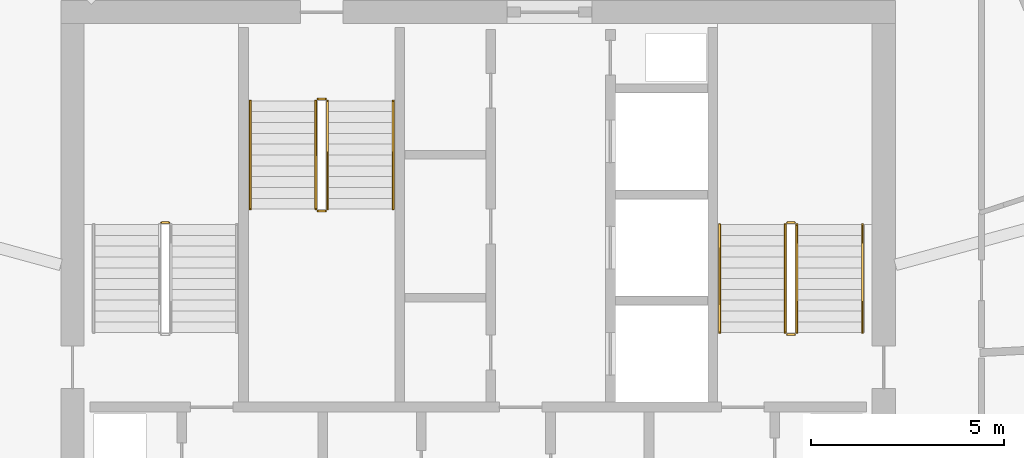
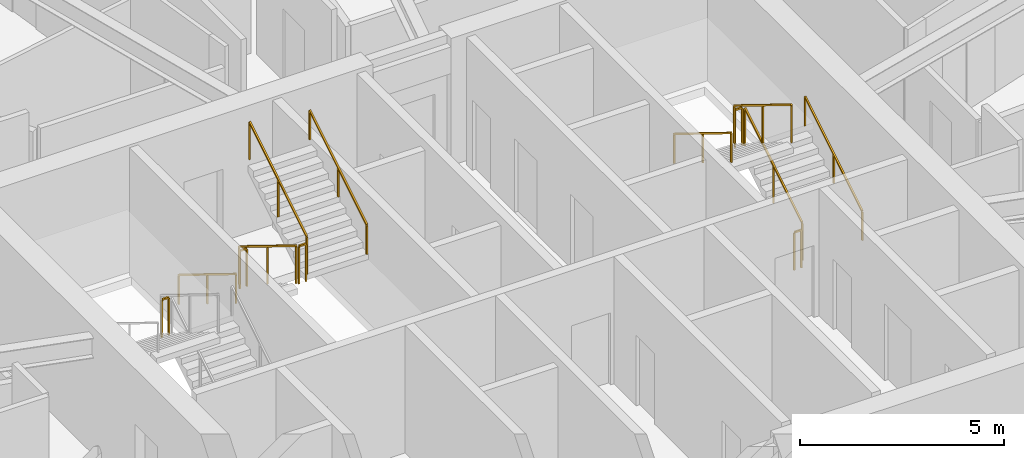
# One storey, part 26 of 27: 13 railings.
"""IFC4 building model written with IfcOpenShell, lengths in metres."""

from ifc_helpers import new_model, si_unit, direction, frame, origin, origin_2d, place, context, subcontext, project, spatial, rectangle, extrude, material, type_object, element, save


model = new_model("IFC4")

# Units and contexts
model_context = context("Model", 3, precision=1e-05, world=origin(), true_north=direction((0.0, 1.0)))
body_context = subcontext(model_context, "Body", "Model", "MODEL_VIEW")
ifc_project = project(units=[si_unit("LENGTHUNIT", "METRE"), si_unit("AREAUNIT", "SQUARE_METRE"), si_unit("VOLUMEUNIT", "CUBIC_METRE"), si_unit("PLANEANGLEUNIT", "RADIAN"), si_unit("MASSUNIT", "GRAM", prefix="KILO")], contexts=[model_context])

# Site, building, storey
site_placement = place(None, origin())
site = spatial("IfcSite", under=ifc_project, at=site_placement, CompositionType="ELEMENT")
building_placement = place(site_placement, origin())
building = spatial("IfcBuilding", under=site, at=building_placement, Name="Zuhravey Tower", CompositionType="ELEMENT")
storey_placement = place(building_placement, frame((0.0, 0.0, 261.60009765625)))
storey = spatial("IfcBuildingStorey", under=building, at=storey_placement, Name="L66", CompositionType="ELEMENT", Elevation=261.60009765625)

# Railings
ifc_material_1 = material(Name="Brushed stainless steel", Category="steel")
railing_type_1 = type_object("IfcRailingType", Name="Stair Wall Handrail 900", PredefinedType="HANDRAIL", material=ifc_material_1)
railing_1_placement = place(storey_placement, frame((45.949951171875, 33.199951171875, 0.172607421875)))
element("IfcRailing", 1, at=railing_1_placement, inside=storey, type_object=railing_type_1, Name="L66 ST2 stair handrail 1", PredefinedType="HANDRAIL", context=body_context, shape_type="SweptSolid", body=[
    extrude(rectangle(XDim=0.048095703125, YDim=0.048095703125, at=origin_2d()), frame((0.0, 0.001708984375, 0.876953125), z_axis=(0.0, 0.851089632645, 0.525020415988), x_axis=(-1.0, 0.0, 0.0)), (0.0, 0.0, 1.0), 3.285888671875),
    extrude(rectangle(XDim=0.0419921875, YDim=0.0419921875, at=origin_2d()), origin(), (0.0, 0.0, 1.0), 0.849853515625),
    extrude(rectangle(XDim=0.0419921875, YDim=0.0419921875, at=origin_2d()), frame((0.0, 1.39990234375, 0.86376953125)), (0.0, 0.0, 1.0), 0.849853515625),
    extrude(rectangle(XDim=0.0419921875, YDim=0.0419921875, at=origin_2d()), frame((0.0, 2.800048828125, 1.727294921875)), (0.0, 0.0, 1.0), 0.849853515625),
])
for number, where, name in (
    (2, (42.25, 36.0, 2.072509765625), "L66 ST2 stair handrail 2"),
    (3, (30.10009765625, 39.199951171875, 0.172607421875), "L66 ST3 stair handrail 1"),
):
    element("IfcRailing", number, at=place(storey_placement, frame(where)), inside=storey, type_object=railing_type_1, Name=name, PredefinedType="HANDRAIL", context=body_context, shape_type="SweptSolid", body=[
        extrude(rectangle(XDim=0.048095703125, YDim=0.048095703125, at=origin_2d()), frame((0.0, -0.001708984375, 0.876953125), z_axis=(0.0, -0.851089632645, 0.525020415988), x_axis=(1.0, 0.0, 0.0)), (0.0, 0.0, 1.0), 3.285888671875),
        extrude(rectangle(XDim=0.0419921875, YDim=0.0419921875, at=origin_2d()), origin(), (0.0, 0.0, 1.0), 0.849853515625),
        extrude(rectangle(XDim=0.0419921875, YDim=0.0419921875, at=origin_2d()), frame((0.0, -1.39990234375, 0.86376953125)), (0.0, 0.0, 1.0), 0.849853515625),
        extrude(rectangle(XDim=0.0419921875, YDim=0.0419921875, at=origin_2d()), frame((0.0, -2.800048828125, 1.727294921875)), (0.0, 0.0, 1.0), 0.849853515625),
    ])
railing_2_placement = place(storey_placement, frame((33.800048828125, 36.39990234375, 2.072509765625)))
element("IfcRailing", 4, at=railing_2_placement, inside=storey, type_object=railing_type_1, Name="L66 ST3 stair handrail 2", PredefinedType="HANDRAIL", context=body_context, shape_type="SweptSolid", body=[
    extrude(rectangle(XDim=0.048095703125, YDim=0.048095703125, at=origin_2d()), frame((0.0, 0.001708984375, 0.876953125), z_axis=(0.0, 0.851089632645, 0.525020415988), x_axis=(-1.0, 0.0, 0.0)), (0.0, 0.0, 1.0), 3.285888671875),
    extrude(rectangle(XDim=0.0419921875, YDim=0.0419921875, at=origin_2d()), origin(), (0.0, 0.0, 1.0), 0.849853515625),
    extrude(rectangle(XDim=0.0419921875, YDim=0.0419921875, at=origin_2d()), frame((0.0, 1.39990234375, 0.86376953125)), (0.0, 0.0, 1.0), 0.849853515625),
    extrude(rectangle(XDim=0.0419921875, YDim=0.0419921875, at=origin_2d()), frame((0.0, 2.800048828125, 1.727294921875)), (0.0, 0.0, 1.0), 0.849853515625),
])
ifc_material_2 = material(Name="Painted tubular steel", Category="steel")
railing_type_2 = type_object("IfcRailingType", Name="Stair Well Guardrail 1150", PredefinedType="GUARDRAIL", material=ifc_material_2)
railing_3_placement = place(storey_placement, frame((28.0, 36.050048828125, 1.89990234375)))
element("IfcRailing", 5, at=railing_3_placement, inside=storey, type_object=railing_type_2, Name="L66 ST1 stair guard 2", PredefinedType="GUARDRAIL", context=body_context, shape_type="SweptSolid", body=[
    extrude(rectangle(XDim=0.048095703125, YDim=0.048095703125, at=origin_2d()), frame((-0.001953125, 0.0, 1.1259765625), z_axis=(-1.0, 0.0, 0.0), x_axis=(0.0, -1.0, 0.0)), (0.0, 0.0, 1.0), 0.196044921875),
    extrude(rectangle(XDim=0.0419921875, YDim=0.0419921875, at=origin_2d()), origin(), (0.0, 0.0, 1.0), 1.099853515625),
    extrude(rectangle(XDim=0.0419921875, YDim=0.0419921875, at=origin_2d()), frame((-0.199951171875, 0.0, 0.0)), (0.0, 0.0, 1.0), 1.099853515625),
])
railing_4_placement = place(storey_placement, frame((44.25, 33.199951171875, 0.172607421875)))
element("IfcRailing", 6, at=railing_4_placement, inside=storey, type_object=railing_type_2, Name="L66 ST2 stair guard 1", PredefinedType="GUARDRAIL", context=body_context, shape_type="SweptSolid", body=[
    extrude(rectangle(XDim=0.048095703125, YDim=0.048095703125, at=origin_2d()), frame((0.0, 0.001708984375, 1.126953125), z_axis=(0.0, 0.851089632645, 0.525020415988), x_axis=(-1.0, 0.0, 0.0)), (0.0, 0.0, 1.0), 3.285888671875),
    extrude(rectangle(XDim=0.0419921875, YDim=0.0419921875, at=origin_2d()), origin(), (0.0, 0.0, 1.0), 1.099853515625),
    extrude(rectangle(XDim=0.0419921875, YDim=0.0419921875, at=origin_2d()), frame((0.0, 1.39990234375, 0.86376953125)), (0.0, 0.0, 1.0), 1.099853515625),
    extrude(rectangle(XDim=0.0419921875, YDim=0.0419921875, at=origin_2d()), frame((0.0, 2.800048828125, 1.727294921875)), (0.0, 0.0, 1.0), 1.099853515625),
])
railing_5_placement = place(storey_placement, frame((44.199951171875, 36.050048828125, 1.89990234375)))
element("IfcRailing", 7, at=railing_5_placement, inside=storey, type_object=railing_type_2, Name="L66 ST2 stair guard 2", PredefinedType="GUARDRAIL", context=body_context, shape_type="SweptSolid", body=[
    extrude(rectangle(XDim=0.048095703125, YDim=0.048095703125, at=origin_2d()), frame((-0.001953125, 0.0, 1.1259765625), z_axis=(-1.0, 0.0, 0.0), x_axis=(0.0, -1.0, 0.0)), (0.0, 0.0, 1.0), 0.196044921875),
    extrude(rectangle(XDim=0.0419921875, YDim=0.0419921875, at=origin_2d()), origin(), (0.0, 0.0, 1.0), 1.099853515625),
    extrude(rectangle(XDim=0.0419921875, YDim=0.0419921875, at=origin_2d()), frame((-0.199951171875, 0.0, 0.0)), (0.0, 0.0, 1.0), 1.099853515625),
])
railing_6_placement = place(storey_placement, frame((43.949951171875, 36.0, 2.072509765625)))
element("IfcRailing", 8, at=railing_6_placement, inside=storey, type_object=railing_type_2, Name="L66 ST2 stair guard 3", PredefinedType="GUARDRAIL", context=body_context, shape_type="SweptSolid", body=[
    extrude(rectangle(XDim=0.048095703125, YDim=0.048095703125, at=origin_2d()), frame((0.0, -0.001708984375, 1.126953125), z_axis=(0.0, -0.851089632645, 0.525020415988), x_axis=(1.0, 0.0, 0.0)), (0.0, 0.0, 1.0), 3.285888671875),
    extrude(rectangle(XDim=0.0419921875, YDim=0.0419921875, at=origin_2d()), origin(), (0.0, 0.0, 1.0), 1.099853515625),
    extrude(rectangle(XDim=0.0419921875, YDim=0.0419921875, at=origin_2d()), frame((0.0, -1.39990234375, 0.86376953125)), (0.0, 0.0, 1.0), 1.099853515625),
    extrude(rectangle(XDim=0.0419921875, YDim=0.0419921875, at=origin_2d()), frame((0.0, -2.800048828125, 1.727294921875)), (0.0, 0.0, 1.0), 1.099853515625),
])
railing_7_placement = place(storey_placement, frame((44.199951171875, 33.14990234375, 0.0)))
element("IfcRailing", 9, at=railing_7_placement, inside=storey, type_object=railing_type_2, Name="L66 ST2 stair guard 4", PredefinedType="GUARDRAIL", context=body_context, shape_type="SweptSolid", body=[
    extrude(rectangle(XDim=0.048095703125, YDim=0.048095703125, at=origin_2d()), frame((-0.001953125, 0.0, 1.1259765625), z_axis=(-1.0, 0.0, 0.0), x_axis=(0.0, -1.0, 0.0)), (0.0, 0.0, 1.0), 0.196044921875),
    extrude(rectangle(XDim=0.0419921875, YDim=0.0419921875, at=origin_2d()), origin(), (0.0, 0.0, 1.0), 1.099853515625),
    extrude(rectangle(XDim=0.0419921875, YDim=0.0419921875, at=origin_2d()), frame((-0.199951171875, 0.0, 0.0)), (0.0, 0.0, 1.0), 1.099853515625),
])
railing_8_placement = place(storey_placement, frame((31.800048828125, 39.199951171875, 0.172607421875)))
element("IfcRailing", 10, at=railing_8_placement, inside=storey, type_object=railing_type_2, Name="L66 ST3 stair guard 1", PredefinedType="GUARDRAIL", context=body_context, shape_type="SweptSolid", body=[
    extrude(rectangle(XDim=0.048095703125, YDim=0.048095703125, at=origin_2d()), frame((0.0, -0.001708984375, 1.126953125), z_axis=(0.0, -0.851089632645, 0.525020415988), x_axis=(1.0, 0.0, 0.0)), (0.0, 0.0, 1.0), 3.285888671875),
    extrude(rectangle(XDim=0.0419921875, YDim=0.0419921875, at=origin_2d()), origin(), (0.0, 0.0, 1.0), 1.099853515625),
    extrude(rectangle(XDim=0.0419921875, YDim=0.0419921875, at=origin_2d()), frame((0.0, -1.39990234375, 0.86376953125)), (0.0, 0.0, 1.0), 1.099853515625),
    extrude(rectangle(XDim=0.0419921875, YDim=0.0419921875, at=origin_2d()), frame((0.0, -2.800048828125, 1.727294921875)), (0.0, 0.0, 1.0), 1.099853515625),
])
railing_9_placement = place(storey_placement, frame((31.85009765625, 36.35009765625, 1.89990234375)))
element("IfcRailing", 11, at=railing_9_placement, inside=storey, type_object=railing_type_2, Name="L66 ST3 stair guard 2", PredefinedType="GUARDRAIL", context=body_context, shape_type="SweptSolid", body=[
    extrude(rectangle(XDim=0.048095703125, YDim=0.048095703125, at=origin_2d()), frame((0.001953125, 0.0, 1.1259765625), z_axis=(1.0, 0.0, 0.0), x_axis=(0.0, 1.0, 0.0)), (0.0, 0.0, 1.0), 0.196044921875),
    extrude(rectangle(XDim=0.0419921875, YDim=0.0419921875, at=origin_2d()), origin(), (0.0, 0.0, 1.0), 1.099853515625),
    extrude(rectangle(XDim=0.0419921875, YDim=0.0419921875, at=origin_2d()), frame((0.199951171875, 0.0, 0.0)), (0.0, 0.0, 1.0), 1.099853515625),
])
railing_10_placement = place(storey_placement, frame((32.10009765625, 36.39990234375, 2.072509765625)))
element("IfcRailing", 12, at=railing_10_placement, inside=storey, type_object=railing_type_2, Name="L66 ST3 stair guard 3", PredefinedType="GUARDRAIL", context=body_context, shape_type="SweptSolid", body=[
    extrude(rectangle(XDim=0.048095703125, YDim=0.048095703125, at=origin_2d()), frame((0.0, 0.001708984375, 1.126953125), z_axis=(0.0, 0.851089632645, 0.525020415988), x_axis=(-1.0, 0.0, 0.0)), (0.0, 0.0, 1.0), 3.285888671875),
    extrude(rectangle(XDim=0.0419921875, YDim=0.0419921875, at=origin_2d()), origin(), (0.0, 0.0, 1.0), 1.099853515625),
    extrude(rectangle(XDim=0.0419921875, YDim=0.0419921875, at=origin_2d()), frame((0.0, 1.39990234375, 0.86376953125)), (0.0, 0.0, 1.0), 1.099853515625),
    extrude(rectangle(XDim=0.0419921875, YDim=0.0419921875, at=origin_2d()), frame((0.0, 2.800048828125, 1.727294921875)), (0.0, 0.0, 1.0), 1.099853515625),
])
railing_11_placement = place(storey_placement, frame((31.85009765625, 39.25, 0.0)))
element("IfcRailing", 13, at=railing_11_placement, inside=storey, type_object=railing_type_2, Name="L66 ST3 stair guard 4", PredefinedType="GUARDRAIL", context=body_context, shape_type="SweptSolid", body=[
    extrude(rectangle(XDim=0.048095703125, YDim=0.048095703125, at=origin_2d()), frame((0.001953125, 0.0, 1.1259765625), z_axis=(1.0, 0.0, 0.0), x_axis=(0.0, 1.0, 0.0)), (0.0, 0.0, 1.0), 0.196044921875),
    extrude(rectangle(XDim=0.0419921875, YDim=0.0419921875, at=origin_2d()), origin(), (0.0, 0.0, 1.0), 1.099853515625),
    extrude(rectangle(XDim=0.0419921875, YDim=0.0419921875, at=origin_2d()), frame((0.199951171875, 0.0, 0.0)), (0.0, 0.0, 1.0), 1.099853515625),
])

save(model, "model.ifc")
